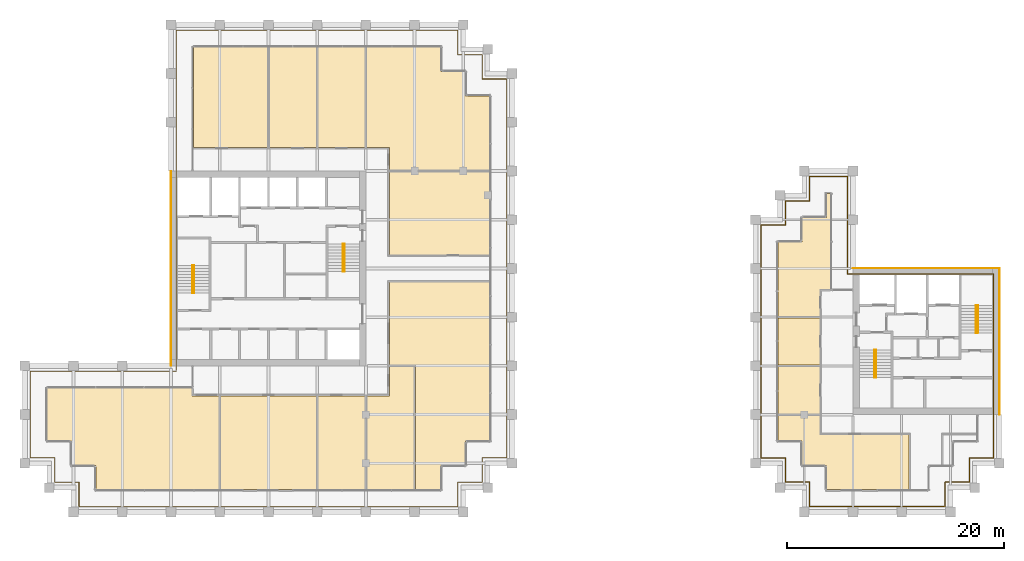
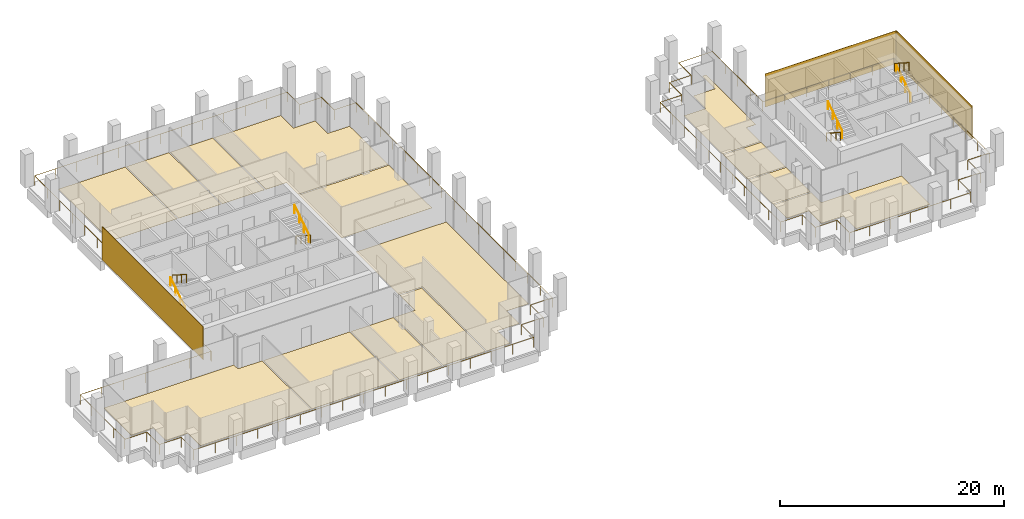
# One storey, part 40 of 40: 17 coverings, 10 railings.
"""IFC4 building model written with IfcOpenShell, lengths in metres."""

from ifc_helpers import new_model, si_unit, direction, frame, origin, origin_2d, place, context, subcontext, project, spatial, polyline, rectangle, circle, outline, extrude, source, transform, mapped, material, layer, layer_set, type_object, element, save


model = new_model("IFC4")

# Units and contexts
model_context = context("Model", 3, precision=1e-05, world=origin(), true_north=direction((0.0, 1.0)))
body_context = subcontext(model_context, "Body", "Model", "MODEL_VIEW")
ifc_project = project(units=[si_unit("LENGTHUNIT", "METRE"), si_unit("AREAUNIT", "SQUARE_METRE"), si_unit("VOLUMEUNIT", "CUBIC_METRE"), si_unit("PLANEANGLEUNIT", "RADIAN"), si_unit("MASSUNIT", "GRAM", prefix="KILO")], contexts=[model_context])

# Site, building, storey
site_placement = place(None, origin())
site = spatial("IfcSite", under=ifc_project, at=site_placement, CompositionType="ELEMENT")
building_placement = place(site_placement, origin())
building = spatial("IfcBuilding", under=site, at=building_placement, Name="Altepetl Exchange Towers", CompositionType="ELEMENT")
storey_placement = place(building_placement, frame((0.0, 0.0, 169.0)))
storey = spatial("IfcBuildingStorey", under=building, at=storey_placement, Name="L42", CompositionType="ELEMENT", Elevation=169.0)

# Coverings
ifc_material_1 = material(Name="Carpet tile")
ifc_layer_1 = layer(ifc_material_1, 0.02001953125)
ifc_layer_set_1 = layer_set([ifc_layer_1], Name="Carpet tile")
covering_type_1 = type_object("IfcCoveringType", Name="Carpet tile floor", PredefinedType="FLOORING", material=ifc_layer_set_1)
covering_1_placement = place(storey_placement, origin())
element("IfcCovering", 1, at=covering_1_placement, inside=storey, type_object=covering_type_1, Name="Meeting room floor finish A42.01", PredefinedType="FLOORING", context=body_context, shape_type="SweptSolid", body=[
    extrude(outline(polyline([(53.9375, 29.0625), (53.9375, 37.737548828125), (45.0625, 37.737548828125), (45.0625, 29.0625), (53.9375, 29.0625)])), origin(), (0.0, 0.0, 1.0), 0.02001953125),
])
covering_2_placement = place(storey_placement, origin())
element("IfcCovering", 2, at=covering_2_placement, inside=storey, type_object=covering_type_1, Name="Pantry floor finish A42.02", PredefinedType="FLOORING", context=body_context, shape_type="SweptSolid", body=[
    extrude(outline(polyline([(58.4375, 29.0625), (58.4375, 37.737548828125), (54.0625, 37.737548828125), (54.0625, 29.0625), (58.4375, 29.0625)])), origin(), (0.0, 0.0, 1.0), 0.02001953125),
])
covering_3_placement = place(storey_placement, origin())
element("IfcCovering", 3, at=covering_3_placement, inside=storey, type_object=covering_type_1, Name="Interview room floor finish A42.04", PredefinedType="FLOORING", context=body_context, shape_type="SweptSolid", body=[
    extrude(outline(polyline([(62.9375, 29.0625), (62.9375, 40.4375), (60.66259765625, 40.4375), (60.66259765625, 37.737548828125), (58.5625, 37.737548828125), (58.5625, 29.0625), (62.9375, 29.0625)])), origin(), (0.0, 0.0, 1.0), 0.02001953125),
])
covering_4_placement = place(storey_placement, origin())
element("IfcCovering", 4, at=covering_4_placement, inside=storey, type_object=covering_type_1, Name="Fund office floor finish A42.05", PredefinedType="FLOORING", context=body_context, shape_type="SweptSolid", body=[
    extrude(outline(polyline([(67.6875, 31.3125), (67.6875, 33.5625), (69.9375, 33.5625), (69.9375, 48.237548828125), (60.66259765625, 48.237548828125), (60.66259765625, 40.5625), (63.0625, 40.5625), (63.0625, 29.0625), (65.4375, 29.0625), (65.4375, 31.3125), (67.6875, 31.3125)])), origin(), (0.0, 0.0, 1.0), 0.02001953125),
])
covering_5_placement = place(storey_placement, origin())
element("IfcCovering", 5, at=covering_5_placement, inside=storey, type_object=covering_type_1, Name="Training room floor finish A42.06", PredefinedType="FLOORING", context=body_context, shape_type="SweptSolid", body=[
    extrude(outline(polyline([(69.9375, 58.4375), (60.66259765625, 58.4375), (60.66259765625, 50.762451171875), (69.9375, 50.762451171875), (69.9375, 58.4375)])), origin(), (0.0, 0.0, 1.0), 0.02001953125),
])
covering_6_placement = place(storey_placement, origin())
element("IfcCovering", 6, at=covering_6_placement, inside=storey, type_object=covering_type_1, Name="Open office floor finish A42.07", PredefinedType="FLOORING", context=body_context, shape_type="SweptSolid", body=[
    extrude(outline(polyline([(60.66259765625, 58.5625), (69.9375, 58.5625), (69.9375, 65.4375), (67.6875, 65.4375), (67.6875, 67.6875), (65.4375, 67.6875), (65.4375, 69.9375), (58.5625, 69.9375), (58.5625, 60.66259765625), (60.66259765625, 60.66259765625), (60.66259765625, 58.5625)])), origin(), (0.0, 0.0, 1.0), 0.02001953125),
])
covering_7_placement = place(storey_placement, origin())
element("IfcCovering", 7, at=covering_7_placement, inside=storey, type_object=covering_type_1, Name="Huddle room floor finish A42.08", PredefinedType="FLOORING", context=body_context, shape_type="SweptSolid", body=[
    extrude(outline(polyline([(49.4375, 60.66259765625), (49.4375, 69.9375), (42.5625, 69.9375), (42.5625, 60.66259765625), (49.4375, 60.66259765625)])), origin(), (0.0, 0.0, 1.0), 0.02001953125),
])
covering_8_placement = place(storey_placement, origin())
element("IfcCovering", 8, at=covering_8_placement, inside=storey, type_object=covering_type_1, Name="Conference room floor finish A42.09", PredefinedType="FLOORING", context=body_context, shape_type="SweptSolid", body=[
    extrude(outline(polyline([(53.9375, 60.66259765625), (53.9375, 69.9375), (49.5625, 69.9375), (49.5625, 60.66259765625), (53.9375, 60.66259765625)])), origin(), (0.0, 0.0, 1.0), 0.02001953125),
])
covering_9_placement = place(storey_placement, origin())
element("IfcCovering", 9, at=covering_9_placement, inside=storey, type_object=covering_type_1, Name="Meeting room floor finish A42.10", PredefinedType="FLOORING", context=body_context, shape_type="SweptSolid", body=[
    extrude(outline(polyline([(58.4375, 60.66259765625), (58.4375, 69.9375), (54.0625, 69.9375), (54.0625, 60.66259765625), (58.4375, 60.66259765625)])), origin(), (0.0, 0.0, 1.0), 0.02001953125),
])
covering_10_placement = place(storey_placement, origin())
element("IfcCovering", 10, at=covering_10_placement, inside=storey, type_object=covering_type_1, Name="Pantry floor finish B42.01", PredefinedType="FLOORING", context=body_context, shape_type="SweptSolid", body=[
    extrude(outline(polyline([(100.4375, 40.4375), (96.5625, 40.4375), (96.5625, 36.0625), (100.4375, 36.0625), (100.4375, 40.4375)])), origin(), (0.0, 0.0, 1.0), 0.02001953125),
])
covering_11_placement = place(storey_placement, origin())
element("IfcCovering", 11, at=covering_11_placement, inside=storey, type_object=covering_type_1, Name="Open office floor finish B42.02", PredefinedType="FLOORING", context=body_context, shape_type="SweptSolid", body=[
    extrude(outline(polyline([(108.6875, 29.0625), (108.6875, 34.137451171875), (100.4375, 34.137451171875), (100.4375, 35.9375), (96.5625, 35.9375), (96.5625, 33.5625), (98.8125, 33.5625), (98.8125, 31.3125), (101.0625, 31.3125), (101.0625, 29.0625), (108.6875, 29.0625)])), origin(), (0.0, 0.0, 1.0), 0.02001953125),
])
covering_12_placement = place(storey_placement, origin())
element("IfcCovering", 12, at=covering_12_placement, inside=storey, type_object=covering_type_1, Name="Meeting room floor finish B42.03", PredefinedType="FLOORING", context=body_context, shape_type="SweptSolid", body=[
    extrude(outline(polyline([(101.4375, 47.5625), (101.4375, 56.4375), (101.0625, 56.4375), (101.0625, 54.1875), (98.8125, 54.1875), (98.8125, 51.9375), (96.5625, 51.9375), (96.5625, 45.0625), (100.4375, 45.0625), (100.4375, 47.5625), (101.4375, 47.5625)])), origin(), (0.0, 0.0, 1.0), 0.02001953125),
])
covering_13_placement = place(storey_placement, origin())
element("IfcCovering", 13, at=covering_13_placement, inside=storey, type_object=covering_type_1, Name="Pantry floor finish B42.04", PredefinedType="FLOORING", context=body_context, shape_type="SweptSolid", body=[
    extrude(outline(polyline([(100.4375, 44.9375), (96.5625, 44.9375), (96.5625, 40.5625), (100.4375, 40.5625), (100.4375, 44.9375)])), origin(), (0.0, 0.0, 1.0), 0.02001953125),
])
ifc_material_2 = material(Name="Cantera stone", Category="masonry")
ifc_layer_2 = layer(ifc_material_2, 0.030029296875)
ifc_layer_set_2 = layer_set([ifc_layer_2], Name="Cantera stone")
covering_type_2 = type_object("IfcCoveringType", Name="Polished stone floor", PredefinedType="FLOORING", material=ifc_layer_set_2)
covering_14_placement = place(storey_placement, origin())
element("IfcCovering", 14, at=covering_14_placement, inside=storey, type_object=covering_type_2, Name="Auditorium floor finish A42.03", PredefinedType="FLOORING", context=body_context, shape_type="SweptSolid", body=[
    extrude(outline(polyline([(33.5625, 29.0625), (44.9375, 29.0625), (44.9375, 37.737548828125), (42.4375, 37.737548828125), (42.4375, 38.4375), (29.0625, 38.4375), (29.0625, 33.5625), (31.3125, 33.5625), (31.3125, 31.3125), (33.5625, 31.3125), (33.5625, 29.0625)])), origin(), (0.0, 0.0, 1.0), 0.030029296875),
])
ifc_material_3 = material(Name="Cantera limestone cladding", Category="masonry")
ifc_layer_3 = layer(ifc_material_3, 0.0400390625)
ifc_layer_set_3 = layer_set([ifc_layer_3], Name="Cantera limestone cladding")
covering_type_3 = type_object("IfcCoveringType", Name="Stone panel 40 cantera", PredefinedType="CLADDING", material=ifc_layer_set_3)
covering_15_placement = place(storey_placement, frame((40.47998046875, 49.5, 0.0), z_axis=(0.0, 0.0, 1.0), x_axis=(0.0, -1.0, 0.0)))
element("IfcCovering", 15, at=covering_15_placement, inside=storey, type_object=covering_type_3, Name="Stone cladding panel", PredefinedType="CLADDING", context=body_context, shape_type="SweptSolid", body=[
    extrude(rectangle(XDim=18.0, YDim=0.0400390625, at=origin_2d()), origin(), (0.0, 0.0, 1.0), 3.60009765625),
])
for number, where, z_axis, x_axis, name in (
    (16, (117.02001953125, 42.75, 0.0), (0.0, 0.0, 1.0), (0.0, 1.0, 0.0), "Stone cladding panel"),
    (17, (110.25, 49.52001953125, 0.0), (0.0, 0.0, 1.0), (-1.0, 0.0, 0.0), "Stone cladding panel"),
):
    element("IfcCovering", number, at=place(storey_placement, frame(where, z_axis=z_axis, x_axis=x_axis)), inside=storey, type_object=covering_type_3, Name=name, PredefinedType="CLADDING", context=body_context, shape_type="SweptSolid", body=[
        extrude(rectangle(XDim=13.5, YDim=0.0400390625, at=origin_2d()), origin(), (0.0, 0.0, 1.0), 3.60009765625),
    ])

# Railings
ifc_material_4 = material(Name="Steel S355", Category="steel")
railing_type_1 = type_object("IfcRailingType", Name="Guard 1100 steel posts and rail", PredefinedType="GUARDRAIL", material=ifc_material_4)
shared_shape_1 = source(origin(), body_context, "Body", "SweptSolid", [
    extrude(circle(Radius=0.02099609375, at=origin_2d()), origin(), (0.0, 0.0, 1.0), 1.052001953125),
])
railing_1_placement = place(storey_placement, frame((41.0, 40.0, 0.0)))
element("IfcRailing", 18, at=railing_1_placement, inside=storey, type_object=railing_type_1, Name="Loggia guard", PredefinedType="GUARDRAIL", context=body_context, shape_type="SweptSolid", body=[
    extrude(circle(Radius=0.02392578125, at=origin_2d()), frame((0.0, 0.0, 1.076171875), z_axis=(-1.0, 0.0, 0.0), x_axis=(0.0, -1.0, 0.0)), (0.0, 0.0, 1.0), 13.5),
    extrude(circle(Radius=0.02392578125, at=origin_2d()), frame((-13.5, 0.0, 1.076171875), z_axis=(0.0, -1.0, 0.0), x_axis=(1.0, 0.0, 0.0)), (0.0, 0.0, 1.0), 8.0),
    extrude(circle(Radius=0.02392578125, at=origin_2d()), frame((-13.5, -8.0, 1.076171875), z_axis=(1.0, 0.0, 0.0), x_axis=(0.0, 1.0, 0.0)), (0.0, 0.0, 1.0), 2.25),
    extrude(circle(Radius=0.02392578125, at=origin_2d()), frame((-11.25, -8.0, 1.076171875), z_axis=(0.0, -1.0, 0.0), x_axis=(1.0, 0.0, 0.0)), (0.0, 0.0, 1.0), 2.25),
    extrude(circle(Radius=0.02392578125, at=origin_2d()), frame((-11.25, -10.25, 1.076171875), z_axis=(1.0, 0.0, 0.0), x_axis=(0.0, 1.0, 0.0)), (0.0, 0.0, 1.0), 2.25),
    extrude(circle(Radius=0.02392578125, at=origin_2d()), frame((-9.0, -10.25, 1.076171875), z_axis=(0.0, -1.0, 0.0), x_axis=(1.0, 0.0, 0.0)), (0.0, 0.0, 1.0), 2.25),
    extrude(circle(Radius=0.02392578125, at=origin_2d()), frame((-9.0, -12.5, 1.076171875), z_axis=(1.0, 0.0, 0.0), x_axis=(0.0, 1.0, 0.0)), (0.0, 0.0, 1.0), 35.0),
    extrude(circle(Radius=0.02392578125, at=origin_2d()), frame((26.0, -12.5, 1.076171875), z_axis=(0.0, 1.0, 0.0), x_axis=(-1.0, 0.0, 0.0)), (0.0, 0.0, 1.0), 2.25),
    extrude(circle(Radius=0.02392578125, at=origin_2d()), frame((26.0, -10.25, 1.076171875), z_axis=(1.0, 0.0, 0.0), x_axis=(0.0, 1.0, 0.0)), (0.0, 0.0, 1.0), 2.25),
    extrude(circle(Radius=0.02392578125, at=origin_2d()), frame((28.25, -10.25, 1.076171875), z_axis=(0.0, 1.0, 0.0), x_axis=(-1.0, 0.0, 0.0)), (0.0, 0.0, 1.0), 2.25),
    extrude(circle(Radius=0.02392578125, at=origin_2d()), frame((28.25, -8.0, 1.076171875), z_axis=(1.0, 0.0, 0.0), x_axis=(0.0, 1.0, 0.0)), (0.0, 0.0, 1.0), 2.25),
    extrude(circle(Radius=0.02392578125, at=origin_2d()), frame((30.5, -8.0, 1.076171875), z_axis=(0.0, 1.0, 0.0), x_axis=(-1.0, 0.0, 0.0)), (0.0, 0.0, 1.0), 35.0),
    extrude(circle(Radius=0.02392578125, at=origin_2d()), frame((30.5, 27.0, 1.076171875), z_axis=(-1.0, 0.0, 0.0), x_axis=(0.0, -1.0, 0.0)), (0.0, 0.0, 1.0), 2.25),
    extrude(circle(Radius=0.02392578125, at=origin_2d()), frame((28.25, 27.0, 1.076171875), z_axis=(0.0, 1.0, 0.0), x_axis=(-1.0, 0.0, 0.0)), (0.0, 0.0, 1.0), 2.25),
    extrude(circle(Radius=0.02392578125, at=origin_2d()), frame((28.25, 29.25, 1.076171875), z_axis=(-1.0, 0.0, 0.0), x_axis=(0.0, -1.0, 0.0)), (0.0, 0.0, 1.0), 2.25),
    extrude(circle(Radius=0.02392578125, at=origin_2d()), frame((26.0, 29.25, 1.076171875), z_axis=(0.0, 1.0, 0.0), x_axis=(-1.0, 0.0, 0.0)), (0.0, 0.0, 1.0), 2.25),
    extrude(circle(Radius=0.02392578125, at=origin_2d()), frame((26.0, 31.5, 1.076171875), z_axis=(-1.0, 0.0, 0.0), x_axis=(0.0, -1.0, 0.0)), (0.0, 0.0, 1.0), 26.0),
    extrude(circle(Radius=0.02392578125, at=origin_2d()), frame((0.0, 31.5, 1.076171875), z_axis=(0.0, -1.0, 0.0), x_axis=(1.0, 0.0, 0.0)), (0.0, 0.0, 1.0), 31.39990234375),
    mapped(shared_shape_1, transform((0.0, 0.0, 0.0))),
    mapped(shared_shape_1, transform((-2.25, 0.0, 0.0))),
    mapped(shared_shape_1, transform((-4.5, 0.0, 0.0))),
    mapped(shared_shape_1, transform((-6.75, 0.0, 0.0))),
    mapped(shared_shape_1, transform((-9.0, 0.0, 0.0))),
    mapped(shared_shape_1, transform((-11.25, 0.0, 0.0))),
    mapped(shared_shape_1, transform((-13.5, 0.0, 0.0))),
    mapped(shared_shape_1, transform((-13.5, -2.0, 0.0))),
    mapped(shared_shape_1, transform((-13.5, -4.0, 0.0))),
    mapped(shared_shape_1, transform((-13.5, -6.0, 0.0))),
    mapped(shared_shape_1, transform((-13.5, -8.0, 0.0))),
    mapped(shared_shape_1, transform((-11.25, -8.0, 0.0))),
    mapped(shared_shape_1, transform((-11.25, -10.25, 0.0))),
    mapped(shared_shape_1, transform((-9.0, -10.25, 0.0))),
    mapped(shared_shape_1, transform((-9.0, -12.5, 0.0))),
    mapped(shared_shape_1, transform((-6.8125, -12.5, 0.0))),
    mapped(shared_shape_1, transform((-4.625, -12.5, 0.0))),
    mapped(shared_shape_1, transform((-2.4375, -12.5, 0.0))),
    mapped(shared_shape_1, transform((-0.25, -12.5, 0.0))),
    mapped(shared_shape_1, transform((1.9375, -12.5, 0.0))),
    mapped(shared_shape_1, transform((4.125, -12.5, 0.0))),
    mapped(shared_shape_1, transform((6.3125, -12.5, 0.0))),
    mapped(shared_shape_1, transform((8.5, -12.5, 0.0))),
    mapped(shared_shape_1, transform((10.6875, -12.5, 0.0))),
    mapped(shared_shape_1, transform((12.875, -12.5, 0.0))),
    mapped(shared_shape_1, transform((15.0625, -12.5, 0.0))),
    mapped(shared_shape_1, transform((17.25, -12.5, 0.0))),
    mapped(shared_shape_1, transform((19.4375, -12.5, 0.0))),
    mapped(shared_shape_1, transform((21.625, -12.5, 0.0))),
    mapped(shared_shape_1, transform((23.8125, -12.5, 0.0))),
    mapped(shared_shape_1, transform((26.0, -12.5, 0.0))),
    mapped(shared_shape_1, transform((26.0, -10.25, 0.0))),
    mapped(shared_shape_1, transform((28.25, -10.25, 0.0))),
    mapped(shared_shape_1, transform((28.25, -8.0, 0.0))),
    mapped(shared_shape_1, transform((30.5, -8.0, 0.0))),
    mapped(shared_shape_1, transform((30.5, -5.8125, 0.0))),
    mapped(shared_shape_1, transform((30.5, -3.625, 0.0))),
    mapped(shared_shape_1, transform((30.5, -1.4375, 0.0))),
    mapped(shared_shape_1, transform((30.5, 0.75, 0.0))),
    mapped(shared_shape_1, transform((30.5, 2.9375, 0.0))),
    mapped(shared_shape_1, transform((30.5, 5.125, 0.0))),
    mapped(shared_shape_1, transform((30.5, 7.3125, 0.0))),
    mapped(shared_shape_1, transform((30.5, 9.5, 0.0))),
    mapped(shared_shape_1, transform((30.5, 11.6875, 0.0))),
    mapped(shared_shape_1, transform((30.5, 13.875, 0.0))),
    mapped(shared_shape_1, transform((30.5, 16.0625, 0.0))),
    mapped(shared_shape_1, transform((30.5, 18.25, 0.0))),
    mapped(shared_shape_1, transform((30.5, 20.4375, 0.0))),
    mapped(shared_shape_1, transform((30.5, 22.625, 0.0))),
    mapped(shared_shape_1, transform((30.5, 24.8125, 0.0))),
    mapped(shared_shape_1, transform((30.5, 27.0, 0.0))),
    mapped(shared_shape_1, transform((28.25, 27.0, 0.0))),
    mapped(shared_shape_1, transform((28.25, 29.25, 0.0))),
    mapped(shared_shape_1, transform((26.0, 29.25, 0.0))),
    mapped(shared_shape_1, transform((26.0, 31.5, 0.0))),
    mapped(shared_shape_1, transform((23.833251953125, 31.5, 0.0))),
    mapped(shared_shape_1, transform((21.666748046875, 31.5, 0.0))),
    mapped(shared_shape_1, transform((19.5, 31.5, 0.0))),
    mapped(shared_shape_1, transform((17.333251953125, 31.5, 0.0))),
    mapped(shared_shape_1, transform((15.166748046875, 31.5, 0.0))),
    mapped(shared_shape_1, transform((13.0, 31.5, 0.0))),
    mapped(shared_shape_1, transform((10.833251953125, 31.5, 0.0))),
    mapped(shared_shape_1, transform((8.666748046875, 31.5, 0.0))),
    mapped(shared_shape_1, transform((6.5, 31.5, 0.0))),
    mapped(shared_shape_1, transform((4.333251953125, 31.5, 0.0))),
    mapped(shared_shape_1, transform((2.166748046875, 31.5, 0.0))),
    mapped(shared_shape_1, transform((0.0, 31.5, 0.0))),
    mapped(shared_shape_1, transform((0.0, 29.257080078125, 0.0))),
    mapped(shared_shape_1, transform((0.0, 27.014404296875, 0.0))),
    mapped(shared_shape_1, transform((0.0, 24.771484375, 0.0))),
    mapped(shared_shape_1, transform((0.0, 22.528564453125, 0.0))),
    mapped(shared_shape_1, transform((0.0, 20.28564453125, 0.0))),
    mapped(shared_shape_1, transform((0.0, 18.04296875, 0.0))),
    mapped(shared_shape_1, transform((0.0, 15.800048828125, 0.0))),
    mapped(shared_shape_1, transform((0.0, 13.55712890625, 0.0))),
    mapped(shared_shape_1, transform((0.0, 11.314453125, 0.0))),
    mapped(shared_shape_1, transform((0.0, 9.071533203125, 0.0))),
    mapped(shared_shape_1, transform((0.0, 6.82861328125, 0.0))),
    mapped(shared_shape_1, transform((0.0, 4.585693359375, 0.0))),
    mapped(shared_shape_1, transform((0.0, 2.343017578125, 0.0))),
    mapped(shared_shape_1, transform((0.0, 0.10009765625, 0.0))),
])
railing_2_placement = place(storey_placement, frame((99.5, 27.5, 0.0)))
element("IfcRailing", 19, at=railing_2_placement, inside=storey, type_object=railing_type_1, Name="Loggia guard", PredefinedType="GUARDRAIL", context=body_context, shape_type="SweptSolid", body=[
    extrude(circle(Radius=0.02392578125, at=origin_2d()), frame((0.0, 0.0, 1.076171875), z_axis=(1.0, 0.0, 0.0), x_axis=(0.0, 1.0, 0.0)), (0.0, 0.0, 1.0), 12.5),
    extrude(circle(Radius=0.02392578125, at=origin_2d()), frame((12.5, 0.0, 1.076171875), z_axis=(0.0, 1.0, 0.0), x_axis=(-1.0, 0.0, 0.0)), (0.0, 0.0, 1.0), 2.25),
    extrude(circle(Radius=0.02392578125, at=origin_2d()), frame((12.5, 2.25, 1.076171875), z_axis=(1.0, 0.0, 0.0), x_axis=(0.0, 1.0, 0.0)), (0.0, 0.0, 1.0), 2.25),
    extrude(circle(Radius=0.02392578125, at=origin_2d()), frame((14.75, 2.25, 1.076171875), z_axis=(0.0, 1.0, 0.0), x_axis=(-1.0, 0.0, 0.0)), (0.0, 0.0, 1.0), 2.25),
    extrude(circle(Radius=0.02392578125, at=origin_2d()), frame((14.75, 4.5, 1.076171875), z_axis=(1.0, 0.0, 0.0), x_axis=(0.0, 1.0, 0.0)), (0.0, 0.0, 1.0), 2.25),
    extrude(circle(Radius=0.02392578125, at=origin_2d()), frame((17.0, 4.5, 1.076171875), z_axis=(0.0, 1.0, 0.0), x_axis=(-1.0, 0.0, 0.0)), (0.0, 0.0, 1.0), 17.0),
    extrude(circle(Radius=0.02392578125, at=origin_2d()), frame((17.0, 21.5, 1.076171875), z_axis=(-1.0, 0.0, 0.0), x_axis=(0.0, -1.0, 0.0)), (0.0, 0.0, 1.0), 13.5),
    extrude(circle(Radius=0.02392578125, at=origin_2d()), frame((3.5, 21.5, 1.076171875), z_axis=(0.0, 1.0, 0.0), x_axis=(-1.0, 0.0, 0.0)), (0.0, 0.0, 1.0), 9.0),
    extrude(circle(Radius=0.02392578125, at=origin_2d()), frame((3.5, 30.5, 1.076171875), z_axis=(-1.0, 0.0, 0.0), x_axis=(0.0, -1.0, 0.0)), (0.0, 0.0, 1.0), 3.5),
    extrude(circle(Radius=0.02392578125, at=origin_2d()), frame((0.0, 30.5, 1.076171875), z_axis=(0.0, -1.0, 0.0), x_axis=(1.0, 0.0, 0.0)), (0.0, 0.0, 1.0), 2.25),
    extrude(circle(Radius=0.02392578125, at=origin_2d()), frame((0.0, 28.25, 1.076171875), z_axis=(-1.0, 0.0, 0.0), x_axis=(0.0, -1.0, 0.0)), (0.0, 0.0, 1.0), 2.25),
    extrude(circle(Radius=0.02392578125, at=origin_2d()), frame((-2.25, 28.25, 1.076171875), z_axis=(0.0, -1.0, 0.0), x_axis=(1.0, 0.0, 0.0)), (0.0, 0.0, 1.0), 2.25),
    extrude(circle(Radius=0.02392578125, at=origin_2d()), frame((-2.25, 26.0, 1.076171875), z_axis=(-1.0, 0.0, 0.0), x_axis=(0.0, -1.0, 0.0)), (0.0, 0.0, 1.0), 2.25),
    extrude(circle(Radius=0.02392578125, at=origin_2d()), frame((-4.5, 26.0, 1.076171875), z_axis=(0.0, -1.0, 0.0), x_axis=(1.0, 0.0, 0.0)), (0.0, 0.0, 1.0), 21.5),
    extrude(circle(Radius=0.02392578125, at=origin_2d()), frame((-4.5, 4.5, 1.076171875), z_axis=(1.0, 0.0, 0.0), x_axis=(0.0, 1.0, 0.0)), (0.0, 0.0, 1.0), 2.25),
    extrude(circle(Radius=0.02392578125, at=origin_2d()), frame((-2.25, 4.5, 1.076171875), z_axis=(0.0, -1.0, 0.0), x_axis=(1.0, 0.0, 0.0)), (0.0, 0.0, 1.0), 2.25),
    extrude(circle(Radius=0.02392578125, at=origin_2d()), frame((-2.25, 2.25, 1.076171875), z_axis=(1.0, 0.0, 0.0), x_axis=(0.0, 1.0, 0.0)), (0.0, 0.0, 1.0), 2.25),
    extrude(circle(Radius=0.02392578125, at=origin_2d()), frame((0.0, 2.25, 1.076171875), z_axis=(0.0, -1.0, 0.0), x_axis=(1.0, 0.0, 0.0)), (0.0, 0.0, 1.0), 2.14990234375),
    mapped(shared_shape_1, transform((0.0, 0.0, 0.0))),
    mapped(shared_shape_1, transform((2.083251953125, 0.0, 0.0))),
    mapped(shared_shape_1, transform((4.166748046875, 0.0, 0.0))),
    mapped(shared_shape_1, transform((6.25, 0.0, 0.0))),
    mapped(shared_shape_1, transform((8.333251953125, 0.0, 0.0))),
    mapped(shared_shape_1, transform((10.416748046875, 0.0, 0.0))),
    mapped(shared_shape_1, transform((12.5, 0.0, 0.0))),
    mapped(shared_shape_1, transform((12.5, 2.25, 0.0))),
    mapped(shared_shape_1, transform((14.75, 2.25, 0.0))),
    mapped(shared_shape_1, transform((14.75, 4.5, 0.0))),
    mapped(shared_shape_1, transform((17.0, 4.5, 0.0))),
    mapped(shared_shape_1, transform((17.0, 6.625, 0.0))),
    mapped(shared_shape_1, transform((17.0, 8.75, 0.0))),
    mapped(shared_shape_1, transform((17.0, 10.875, 0.0))),
    mapped(shared_shape_1, transform((17.0, 13.0, 0.0))),
    mapped(shared_shape_1, transform((17.0, 15.125, 0.0))),
    mapped(shared_shape_1, transform((17.0, 17.25, 0.0))),
    mapped(shared_shape_1, transform((17.0, 19.375, 0.0))),
    mapped(shared_shape_1, transform((17.0, 21.5, 0.0))),
    mapped(shared_shape_1, transform((14.75, 21.5, 0.0))),
    mapped(shared_shape_1, transform((12.5, 21.5, 0.0))),
    mapped(shared_shape_1, transform((10.25, 21.5, 0.0))),
    mapped(shared_shape_1, transform((8.0, 21.5, 0.0))),
    mapped(shared_shape_1, transform((5.75, 21.5, 0.0))),
    mapped(shared_shape_1, transform((3.5, 21.5, 0.0))),
    mapped(shared_shape_1, transform((3.5, 23.75, 0.0))),
    mapped(shared_shape_1, transform((3.5, 26.0, 0.0))),
    mapped(shared_shape_1, transform((3.5, 28.25, 0.0))),
    mapped(shared_shape_1, transform((3.5, 30.5, 0.0))),
    mapped(shared_shape_1, transform((1.75, 30.5, 0.0))),
    mapped(shared_shape_1, transform((0.0, 30.5, 0.0))),
    mapped(shared_shape_1, transform((0.0, 28.25, 0.0))),
    mapped(shared_shape_1, transform((-2.25, 28.25, 0.0))),
    mapped(shared_shape_1, transform((-2.25, 26.0, 0.0))),
    mapped(shared_shape_1, transform((-4.5, 26.0, 0.0))),
    mapped(shared_shape_1, transform((-4.5, 23.85009765625, 0.0))),
    mapped(shared_shape_1, transform((-4.5, 21.699951171875, 0.0))),
    mapped(shared_shape_1, transform((-4.5, 19.550048828125, 0.0))),
    mapped(shared_shape_1, transform((-4.5, 17.39990234375, 0.0))),
    mapped(shared_shape_1, transform((-4.5, 15.25, 0.0))),
    mapped(shared_shape_1, transform((-4.5, 13.10009765625, 0.0))),
    mapped(shared_shape_1, transform((-4.5, 10.949951171875, 0.0))),
    mapped(shared_shape_1, transform((-4.5, 8.800048828125, 0.0))),
    mapped(shared_shape_1, transform((-4.5, 6.64990234375, 0.0))),
    mapped(shared_shape_1, transform((-4.5, 4.5, 0.0))),
    mapped(shared_shape_1, transform((-2.25, 4.5, 0.0))),
    mapped(shared_shape_1, transform((-2.25, 2.25, 0.0))),
    mapped(shared_shape_1, transform((0.0, 2.25, 0.0))),
    mapped(shared_shape_1, transform((0.0, 0.10009765625, 0.0))),
])
ifc_material_5 = material(Name="Steel", Category="steel")
railing_type_2 = type_object("IfcRailingType", Name="Stair handrail 50 steel tube", PredefinedType="HANDRAIL", material=ifc_material_5)
shared_shape_2 = source(origin(), body_context, "Body", "SweptSolid", [
    extrude(circle(Radius=0.02099609375, at=origin_2d()), origin(), (0.0, 0.0, 1.0), 0.851806640625),
])
railing_3_placement = place(storey_placement, frame((42.469970703125, 47.25, 0.179931640625)))
element("IfcRailing", 20, at=railing_3_placement, inside=storey, type_object=railing_type_2, Name="Stair handrail", PredefinedType="HANDRAIL", context=body_context, shape_type="SweptSolid", body=[
    extrude(circle(Radius=0.02392578125, at=origin_2d()), frame((0.0, 0.0, 0.8759765625), z_axis=(0.0, 0.841162588446, 0.540782303519), x_axis=(-1.0, 0.0, 0.0)), (0.0, 0.0, 1.0), 2.995849609375),
    mapped(shared_shape_2, transform((0.0, 0.0, 0.0))),
    mapped(shared_shape_2, transform((0.0, 0.840087890625, 0.5400390625))),
    mapped(shared_shape_2, transform((0.0, 1.679931640625, 1.080078125))),
    mapped(shared_shape_2, transform((0.0, 2.52001953125, 1.6201171875))),
])
for number, where, name in (
    (21, (42.6298828125, 49.77001953125, 1.97998046875), "Stair handrail"),
    (22, (56.530029296875, 51.75, 0.179931640625), "Stair handrail"),
):
    element("IfcRailing", number, at=place(storey_placement, frame(where)), inside=storey, type_object=railing_type_2, Name=name, PredefinedType="HANDRAIL", context=body_context, shape_type="SweptSolid", body=[
        extrude(circle(Radius=0.02392578125, at=origin_2d()), frame((0.0, 0.0, 0.8759765625), z_axis=(0.0, -0.841162588446, 0.540782303519), x_axis=(1.0, 0.0, 0.0)), (0.0, 0.0, 1.0), 2.995849609375),
        mapped(shared_shape_2, transform((0.0, 0.0, 0.0))),
        mapped(shared_shape_2, transform((0.0, -0.840087890625, 0.5400390625))),
        mapped(shared_shape_2, transform((0.0, -1.679931640625, 1.080078125))),
        mapped(shared_shape_2, transform((0.0, -2.52001953125, 1.6201171875))),
    ])
railing_4_placement = place(storey_placement, frame((56.3701171875, 49.22998046875, 1.97998046875)))
element("IfcRailing", 23, at=railing_4_placement, inside=storey, type_object=railing_type_2, Name="Stair handrail", PredefinedType="HANDRAIL", context=body_context, shape_type="SweptSolid", body=[
    extrude(circle(Radius=0.02392578125, at=origin_2d()), frame((0.0, 0.0, 0.8759765625), z_axis=(0.0, 0.841162588446, 0.540782303519), x_axis=(-1.0, 0.0, 0.0)), (0.0, 0.0, 1.0), 2.995849609375),
    mapped(shared_shape_2, transform((0.0, 0.0, 0.0))),
    mapped(shared_shape_2, transform((0.0, 0.840087890625, 0.5400390625))),
    mapped(shared_shape_2, transform((0.0, 1.679931640625, 1.080078125))),
    mapped(shared_shape_2, transform((0.0, 2.52001953125, 1.6201171875))),
])
railing_5_placement = place(storey_placement, frame((105.469970703125, 41.949951171875, 0.179931640625)))
element("IfcRailing", 24, at=railing_5_placement, inside=storey, type_object=railing_type_2, Name="Stair handrail", PredefinedType="HANDRAIL", context=body_context, shape_type="SweptSolid", body=[
    extrude(circle(Radius=0.02392578125, at=origin_2d()), frame((0.0, 0.0, 0.8759765625), z_axis=(0.0, -0.841162588446, 0.540782303519), x_axis=(1.0, 0.0, 0.0)), (0.0, 0.0, 1.0), 2.995849609375),
    mapped(shared_shape_2, transform((0.0, 0.0, 0.0))),
    mapped(shared_shape_2, transform((0.0, -0.840087890625, 0.5400390625))),
    mapped(shared_shape_2, transform((0.0, -1.679931640625, 1.080078125))),
    mapped(shared_shape_2, transform((0.0, -2.52001953125, 1.6201171875))),
])
for number, where, name in (
    (25, (105.6298828125, 39.429931640625, 1.97998046875), "Stair handrail"),
    (26, (115.030029296875, 43.550048828125, 0.179931640625), "Stair handrail"),
):
    element("IfcRailing", number, at=place(storey_placement, frame(where)), inside=storey, type_object=railing_type_2, Name=name, PredefinedType="HANDRAIL", context=body_context, shape_type="SweptSolid", body=[
        extrude(circle(Radius=0.02392578125, at=origin_2d()), frame((0.0, 0.0, 0.8759765625), z_axis=(0.0, 0.841162588446, 0.540782303519), x_axis=(-1.0, 0.0, 0.0)), (0.0, 0.0, 1.0), 2.995849609375),
        mapped(shared_shape_2, transform((0.0, 0.0, 0.0))),
        mapped(shared_shape_2, transform((0.0, 0.840087890625, 0.5400390625))),
        mapped(shared_shape_2, transform((0.0, 1.679931640625, 1.080078125))),
        mapped(shared_shape_2, transform((0.0, 2.52001953125, 1.6201171875))),
    ])
railing_6_placement = place(storey_placement, frame((114.8701171875, 46.070068359375, 1.97998046875)))
element("IfcRailing", 27, at=railing_6_placement, inside=storey, type_object=railing_type_2, Name="Stair handrail", PredefinedType="HANDRAIL", context=body_context, shape_type="SweptSolid", body=[
    extrude(circle(Radius=0.02392578125, at=origin_2d()), frame((0.0, 0.0, 0.8759765625), z_axis=(0.0, -0.841162588446, 0.540782303519), x_axis=(1.0, 0.0, 0.0)), (0.0, 0.0, 1.0), 2.995849609375),
    mapped(shared_shape_2, transform((0.0, 0.0, 0.0))),
    mapped(shared_shape_2, transform((0.0, -0.840087890625, 0.5400390625))),
    mapped(shared_shape_2, transform((0.0, -1.679931640625, 1.080078125))),
    mapped(shared_shape_2, transform((0.0, -2.52001953125, 1.6201171875))),
])

save(model, "model.ifc")
